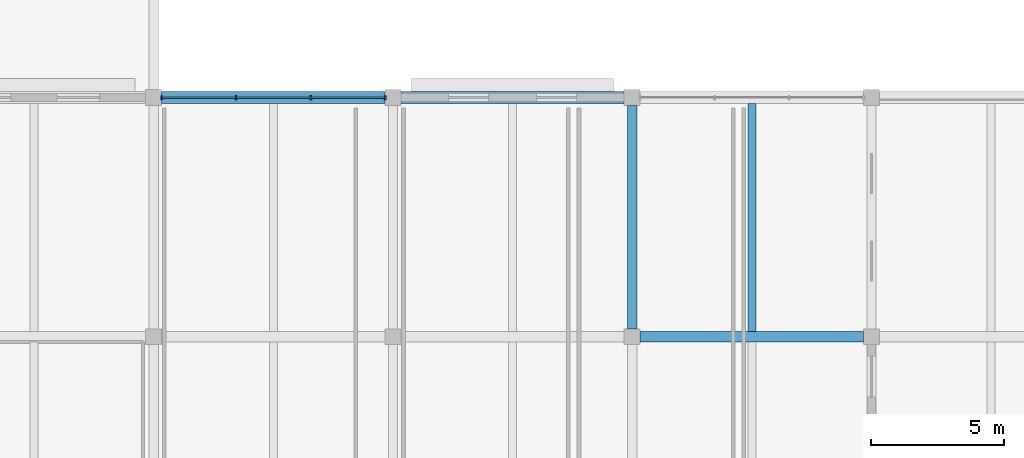
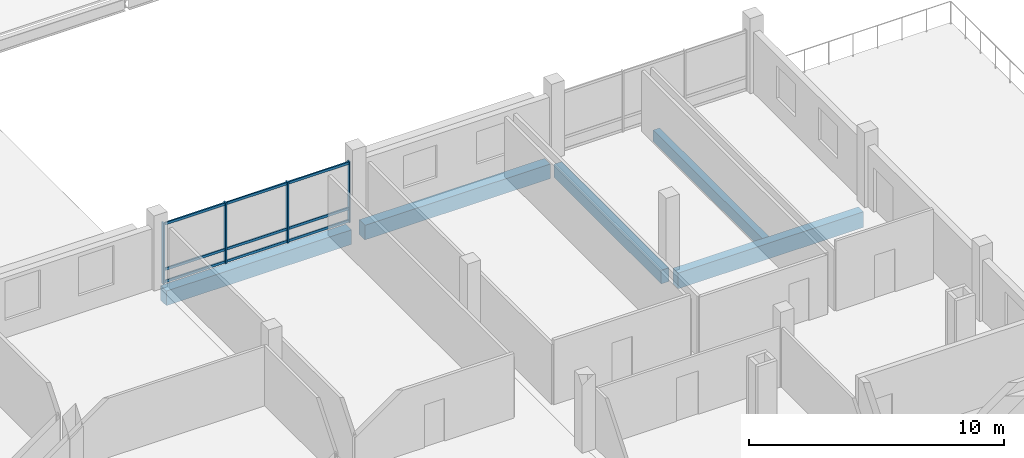
# One storey, part 22 of 163: 13 members, 5 beams, 1 element without a shape of its own.
"""IFC4 building model written with IfcOpenShell, lengths in metres."""

import ifcopenshell
import ifcopenshell.guid

model = None  # the IFC model being written
_history = None  # IfcOwnerHistory: only IFC2X3 demands one
_inside = {}  # id of a spatial element -> (the spatial element, [elements in it])
_under = {}  # id of a project, library or spatial element -> (it, [spatial elements below it])
_declared = {}  # id of a project -> (the project, [libraries it declares])
_typed = {}  # id of a type object -> (the type object, [elements of that type])
_made_of = {}  # id of a material, layer set ... -> (it, [elements and type objects made of it])


def new_model(schema):
    """Start an empty IFC model of exactly this schema.

    Asked for "IFC4X3", IfcOpenShell would pick the latest addendum, in which some entities
    have other attributes; the version numbers below select the first issue.
    IFC2X3 requires an IfcOwnerHistory on every rooted entity: one is made here for all.
    """
    global model, _history
    if schema == "IFC4X3":
        model = ifcopenshell.file(schema_version=(4, 3, 0, 0))
    else:
        model = ifcopenshell.file(schema=schema)
    _inside.clear()
    _under.clear()
    _declared.clear()
    _typed.clear()
    _made_of.clear()
    _history = None
    if model.schema == "IFC2X3":
        org = make("IfcOrganization", Name="unknown")
        user = make(
            "IfcPersonAndOrganization",
            ThePerson=make("IfcPerson", FamilyName="unknown"),
            TheOrganization=org,
        )
        app = make(
            "IfcApplication",
            ApplicationDeveloper=org,
            Version="unknown",
            ApplicationFullName="unknown",
            ApplicationIdentifier="unknown",
        )
        _history = make(
            "IfcOwnerHistory",
            OwningUser=user,
            OwningApplication=app,
            ChangeAction="ADDED",
            CreationDate=0,
        )
    return model


def make(cls, **values):
    """One entity of the class cls with the attributes given. An attribute that is None is left unset."""
    return model.create_entity(
        cls, **{name: value for name, value in values.items() if value is not None}
    )


def rooted(cls, **values):
    """An entity with a GlobalId (a new one), such as an element, a storey or a relation."""
    return make(cls, GlobalId=ifcopenshell.guid.new(), OwnerHistory=_history, **values)


def si_unit(unit_type, name, prefix=None):
    """IfcSIUnit, for example si_unit("LENGTHUNIT", "METRE", prefix="MILLI")."""
    return make("IfcSIUnit", UnitType=unit_type, Prefix=prefix, Name=name)


def assignment(units):
    """IfcUnitAssignment: the units of a project."""
    return None if units is None else make("IfcUnitAssignment", Units=units)


def point(xyz):
    """IfcCartesianPoint."""
    return None if xyz is None else make("IfcCartesianPoint", Coordinates=xyz)


def direction(xyz):
    """IfcDirection."""
    return None if xyz is None else make("IfcDirection", DirectionRatios=xyz)


def frame(location, z_axis=None, x_axis=None):
    """IfcAxis2Placement3D, a coordinate frame: its origin and axes. An axis left out is left unset."""
    return make(
        "IfcAxis2Placement3D",
        Location=point(location),
        Axis=direction(z_axis),
        RefDirection=direction(x_axis),
    )


def frame_2d(location, x_axis=None):
    """IfcAxis2Placement2D, a coordinate frame in the plane: its origin and x axis."""
    return make(
        "IfcAxis2Placement2D", Location=point(location), RefDirection=direction(x_axis)
    )


def origin():
    """The frame at (0, 0, 0) with its axes left unset."""
    return frame((0.0, 0.0, 0.0))


def origin_2d():
    """The frame at (0, 0) in the plane with its x axis left unset."""
    return frame_2d((0.0, 0.0))


def place(relative_to, where):
    """IfcLocalPlacement: puts the frame where relative to a parent placement (None: the world)."""
    return make(
        "IfcLocalPlacement", PlacementRelTo=relative_to, RelativePlacement=where
    )


def context(
    kind, dimensions, precision=None, world=None, true_north=None, identifier=None
):
    """IfcGeometricRepresentationContext, for example the 3D "Model" context."""
    return make(
        "IfcGeometricRepresentationContext",
        ContextIdentifier=identifier,
        ContextType=kind,
        CoordinateSpaceDimension=dimensions,
        Precision=precision,
        WorldCoordinateSystem=world,
        TrueNorth=true_north,
    )


def subcontext(parent, identifier, kind, view, scale=None):
    """IfcGeometricRepresentationSubContext, for example "Body" below "Model"."""
    return make(
        "IfcGeometricRepresentationSubContext",
        ContextIdentifier=identifier,
        ContextType=kind,
        ParentContext=parent,
        TargetScale=scale,
        TargetView=view,
    )


def project(units=None, contexts=None):
    """IfcProject with its units and contexts."""
    return rooted(
        "IfcProject",
        Name="project",
        RepresentationContexts=contexts,
        UnitsInContext=assignment(units),
    )


def spatial(cls, under=None, at=None, **own):
    """A site, building, storey or space (cls), placed at a placement, below another one or the project."""
    s = rooted(cls, ObjectPlacement=at, **own)
    if under is not None:
        _under.setdefault(under.id(), (under, []))[1].append(s)
    return s


def profile(cls, at=None, kind="AREA", **sizes):
    """A parametric profile (cls). Its sizes go by their IFC names, for example OverallWidth=200.0."""
    return make(cls, ProfileType=kind, Position=at, **sizes)


def rectangle(**sizes):
    """IfcRectangleProfileDef."""
    return profile("IfcRectangleProfileDef", **sizes)


def extrude(swept, where, along, depth):
    """IfcExtrudedAreaSolid: the profile swept, set in the frame where, extruded along a direction by depth."""
    return make(
        "IfcExtrudedAreaSolid",
        SweptArea=swept,
        Position=where,
        ExtrudedDirection=direction(along),
        Depth=depth,
    )


def shape(context_of_items, identifier, shape_type, items):
    """IfcShapeRepresentation: the items that make up one representation, for example the "Body"."""
    return make(
        "IfcShapeRepresentation",
        ContextOfItems=context_of_items,
        RepresentationIdentifier=identifier,
        RepresentationType=shape_type,
        Items=items,
    )


def material(Name=None, Category=None):
    """IfcMaterial."""
    return make("IfcMaterial", Name=Name, Category=Category)


def material_profile(
    of_material, cross_section, Name=None, Category=None, Priority=None
):
    """IfcMaterialProfile: a cross section and its material."""
    return make(
        "IfcMaterialProfile",
        Name=Name,
        Material=of_material,
        Profile=cross_section,
        Priority=Priority,
        Category=Category,
    )


def profile_set(profiles, Name=None, composite=None):
    """IfcMaterialProfileSet."""
    return make(
        "IfcMaterialProfileSet",
        Name=Name,
        MaterialProfiles=profiles,
        CompositeProfile=composite,
    )


def made_of(thing, what):
    """Note that an element or type object is made of a material, layer set ...; save() writes the relation."""
    if what is not None:
        _made_of.setdefault(what.id(), (what, []))[1].append(thing)
    return thing


def type_object(cls, material=None, **own):
    """A type object (cls), such as IfcWallType, which elements share."""
    return made_of(rooted(cls, **own), material)


def element(
    cls,
    number,
    at=None,
    inside=None,
    cuts=None,
    type_object=None,
    material=None,
    context=None,
    identifier="Body",
    shape_type=None,
    held_by="IfcProductDefinitionShape",
    body=None,
    shapes=None,
    **own,
):
    """One element of the class cls, such as IfcWall. Its Tag is "e" and its number.

    at: its placement. inside: the storey or other place that contains it. cuts: it is an
    opening in that element (IfcRelVoidsElement). A single representation is given by context,
    identifier, shape_type and body (its items); several are given by shapes. held_by: the class
    of the entity that holds the representations. save() writes the other relations.
    """
    e = rooted(cls, Tag="e%d" % number, ObjectPlacement=at, **own)
    if body is not None:
        shapes = [shape(context, identifier, shape_type, body)]
    if shapes is not None:
        e.Representation = make(held_by, Representations=shapes)
    if inside is not None:
        _inside.setdefault(inside.id(), (inside, []))[1].append(e)
    if cuts is not None:
        rooted(
            "IfcRelVoidsElement", RelatingBuildingElement=cuts, RelatedOpeningElement=e
        )
    if type_object is not None:
        _typed.setdefault(type_object.id(), (type_object, []))[1].append(e)
    return made_of(e, material)


def aggregate(whole, parts):
    """IfcRelAggregates: a whole, such as a stair, and the parts it consists of."""
    return rooted("IfcRelAggregates", RelatingObject=whole, RelatedObjects=parts)


def save(model, path):
    """Write the relations noted so far, then the file.

    IfcRelAggregates (storeys below a building ...), IfcRelContainedInSpatialStructure (elements
    in a storey), IfcRelDefinesByType, IfcRelAssociatesMaterial and IfcRelDeclares: one each for
    every whole, place, type object, material and project.
    """
    for whole, parts in _under.values():
        aggregate(whole, parts)
    for where, things in _inside.values():
        rooted(
            "IfcRelContainedInSpatialStructure",
            RelatedElements=things,
            RelatingStructure=where,
        )
    for kind, things in _typed.values():
        rooted("IfcRelDefinesByType", RelatedObjects=things, RelatingType=kind)
    for what, things in _made_of.values():
        rooted("IfcRelAssociatesMaterial", RelatedObjects=things, RelatingMaterial=what)
    for by, libraries in _declared.values():
        rooted("IfcRelDeclares", RelatingContext=by, RelatedDefinitions=libraries)
    model.write(path)


model = new_model("IFC4")

# Units and contexts
model_context = context("Model", 3, precision=1e-05, world=origin(), true_north=direction((0.0, 1.0)))
body_context = subcontext(model_context, "Body", "Model", "MODEL_VIEW")
ifc_project = project(units=[si_unit("LENGTHUNIT", "METRE"), si_unit("AREAUNIT", "SQUARE_METRE"), si_unit("VOLUMEUNIT", "CUBIC_METRE"), si_unit("PLANEANGLEUNIT", "RADIAN"), si_unit("MASSUNIT", "GRAM", prefix="KILO")], contexts=[model_context])

# Site, building, storey
site_placement = place(None, origin())
site = spatial("IfcSite", under=ifc_project, at=site_placement, CompositionType="ELEMENT")
building_placement = place(site_placement, origin())
building = spatial("IfcBuilding", under=site, at=building_placement, Name="Tharagai Park Tramway Depot", CompositionType="ELEMENT")
storey_placement = place(building_placement, frame((0.0, 0.0, 8.39990234375)))
storey = spatial("IfcBuildingStorey", under=building, at=storey_placement, Name="L02", CompositionType="ELEMENT", Elevation=8.39990234375)

# Beams
ifc_material_1 = material(Name="Concrete M35", Category="concrete")
ifc_material_profile_1 = material_profile(ifc_material_1, rectangle(XDim=0.35009765625, YDim=0.64990234375, at=origin_2d()), Name="RC 350x650")
ifc_profile_set_1 = profile_set([ifc_material_profile_1], Name="Concrete M35")
beam_type_1 = type_object("IfcBeamType", Name="BM-13", PredefinedType="BEAM", material=ifc_profile_set_1)
beam_1_placement = place(storey_placement, frame((81.0, 18.300048828125, -0.574951171875), z_axis=(0.0, 1.0, 0.0), x_axis=(-1.0, 0.0, 0.0)))
element("IfcBeam", 1, at=beam_1_placement, inside=storey, type_object=beam_type_1, Name="L02 Grid Beam BM-13", PredefinedType="BEAM", context=body_context, shape_type="SweptSolid", body=[
    extrude(rectangle(XDim=0.35009765625, YDim=0.64990234375, at=origin_2d()), origin(), (0.0, 0.0, 1.0), 8.39990234375),
])
ifc_material_profile_2 = material_profile(ifc_material_1, rectangle(XDim=0.39990234375, YDim=0.75, at=origin_2d()), Name="RC 400x750")
ifc_profile_set_2 = profile_set([ifc_material_profile_2], Name="Concrete M35")
beam_type_2 = type_object("IfcBeamType", Name="BM-19", PredefinedType="BEAM", material=ifc_profile_set_2)
beam_2_placement = place(storey_placement, frame((81.300048828125, 18.0, -0.625), z_axis=(1.0, 0.0, 0.0), x_axis=(0.0, 1.0, 0.0)))
element("IfcBeam", 2, at=beam_2_placement, inside=storey, type_object=beam_type_2, Name="L02 Grid Beam BM-19", PredefinedType="BEAM", context=body_context, shape_type="SweptSolid", body=[
    extrude(rectangle(XDim=0.39990234375, YDim=0.75, at=origin_2d()), origin(), (0.0, 0.0, 1.0), 8.39990234375),
])

# Curtain wall, members
ifc_material_2 = material(Name="Anodised aluminium", Category="aluminium")
curtain_wall_type = type_object("IfcCurtainWallType", Name="CW-02", PredefinedType="NOTDEFINED", material=ifc_material_2)
curtain_wall_placement = place(storey_placement, origin())
curtain_wall = element("IfcCurtainWall", 3, at=curtain_wall_placement, inside=storey, type_object=curtain_wall_type, Name="L02 V4 Gothic Mullioned Curtain Wall CW-02", PredefinedType="NOTDEFINED")
ifc_material_profile_3 = material_profile(ifc_material_2, rectangle(XDim=0.06494140625, YDim=0.1201171875, at=origin_2d()), Name="ALU 65x120")
ifc_profile_set_3 = profile_set([ifc_material_profile_3], Name="Anodised aluminium")
member_type_1 = type_object("IfcMemberType", Name="CM-01", PredefinedType="USERDEFINED", material=ifc_profile_set_3)
member_1_placement = place(storey_placement, frame((63.304931640625, 27.0, 0.06005859375), z_axis=(1.0, 0.0, 0.0), x_axis=(0.0, 1.0, 0.0)))
member_1 = element("IfcMember", 4, at=member_1_placement, type_object=member_type_1, Name="L02 V4 Gothic Mullioned Curtain Wall Transom 1.1", ObjectType="TRANSOM", PredefinedType="USERDEFINED", context=body_context, shape_type="SweptSolid", body=[
    extrude(rectangle(XDim=0.06494140625, YDim=0.1201171875, at=origin_2d()), origin(), (0.0, 0.0, 1.0), 2.77685546875),
])
member_2_placement = place(storey_placement, frame((63.304931640625, 27.0, 0.650146484375), z_axis=(1.0, 0.0, 0.0), x_axis=(0.0, 1.0, 0.0)))
member_2 = element("IfcMember", 5, at=member_2_placement, type_object=member_type_1, Name="L02 V4 Gothic Mullioned Curtain Wall Transom 1.2", ObjectType="TRANSOM", PredefinedType="USERDEFINED", context=body_context, shape_type="SweptSolid", body=[
    extrude(rectangle(XDim=0.06494140625, YDim=0.1201171875, at=origin_2d()), origin(), (0.0, 0.0, 1.0), 2.77685546875),
])
member_3_placement = place(storey_placement, frame((63.304931640625, 27.0, 2.830078125), z_axis=(1.0, 0.0, 0.0), x_axis=(0.0, 1.0, 0.0)))
member_3 = element("IfcMember", 6, at=member_3_placement, type_object=member_type_1, Name="L02 V4 Gothic Mullioned Curtain Wall Transom 1.3", ObjectType="TRANSOM", PredefinedType="USERDEFINED", context=body_context, shape_type="SweptSolid", body=[
    extrude(rectangle(XDim=0.06494140625, YDim=0.1201171875, at=origin_2d()), origin(), (0.0, 0.0, 1.0), 2.77685546875),
])
member_4_placement = place(storey_placement, frame((66.111572265625, 27.0, 0.06005859375), z_axis=(1.0, 0.0, 0.0), x_axis=(0.0, 1.0, 0.0)))
member_4 = element("IfcMember", 7, at=member_4_placement, type_object=member_type_1, Name="L02 V4 Gothic Mullioned Curtain Wall Transom 2.1", ObjectType="TRANSOM", PredefinedType="USERDEFINED", context=body_context, shape_type="SweptSolid", body=[
    extrude(rectangle(XDim=0.06494140625, YDim=0.1201171875, at=origin_2d()), origin(), (0.0, 0.0, 1.0), 2.77685546875),
])
member_5_placement = place(storey_placement, frame((66.111572265625, 27.0, 0.650146484375), z_axis=(1.0, 0.0, 0.0), x_axis=(0.0, 1.0, 0.0)))
member_5 = element("IfcMember", 8, at=member_5_placement, type_object=member_type_1, Name="L02 V4 Gothic Mullioned Curtain Wall Transom 2.2", ObjectType="TRANSOM", PredefinedType="USERDEFINED", context=body_context, shape_type="SweptSolid", body=[
    extrude(rectangle(XDim=0.06494140625, YDim=0.1201171875, at=origin_2d()), origin(), (0.0, 0.0, 1.0), 2.77685546875),
])
member_6_placement = place(storey_placement, frame((66.111572265625, 27.0, 2.830078125), z_axis=(1.0, 0.0, 0.0), x_axis=(0.0, 1.0, 0.0)))
member_6 = element("IfcMember", 9, at=member_6_placement, type_object=member_type_1, Name="L02 V4 Gothic Mullioned Curtain Wall Transom 2.3", ObjectType="TRANSOM", PredefinedType="USERDEFINED", context=body_context, shape_type="SweptSolid", body=[
    extrude(rectangle(XDim=0.06494140625, YDim=0.1201171875, at=origin_2d()), origin(), (0.0, 0.0, 1.0), 2.77685546875),
])
member_7_placement = place(storey_placement, frame((68.918212890625, 27.0, 0.06005859375), z_axis=(1.0, 0.0, 0.0), x_axis=(0.0, 1.0, 0.0)))
member_7 = element("IfcMember", 10, at=member_7_placement, type_object=member_type_1, Name="L02 V4 Gothic Mullioned Curtain Wall Transom 3.1", ObjectType="TRANSOM", PredefinedType="USERDEFINED", context=body_context, shape_type="SweptSolid", body=[
    extrude(rectangle(XDim=0.06494140625, YDim=0.1201171875, at=origin_2d()), origin(), (0.0, 0.0, 1.0), 2.77685546875),
])
member_8_placement = place(storey_placement, frame((68.918212890625, 27.0, 0.650146484375), z_axis=(1.0, 0.0, 0.0), x_axis=(0.0, 1.0, 0.0)))
member_8 = element("IfcMember", 11, at=member_8_placement, type_object=member_type_1, Name="L02 V4 Gothic Mullioned Curtain Wall Transom 3.2", ObjectType="TRANSOM", PredefinedType="USERDEFINED", context=body_context, shape_type="SweptSolid", body=[
    extrude(rectangle(XDim=0.06494140625, YDim=0.1201171875, at=origin_2d()), origin(), (0.0, 0.0, 1.0), 2.77685546875),
])
member_9_placement = place(storey_placement, frame((68.918212890625, 27.0, 2.830078125), z_axis=(1.0, 0.0, 0.0), x_axis=(0.0, 1.0, 0.0)))
member_9 = element("IfcMember", 12, at=member_9_placement, type_object=member_type_1, Name="L02 V4 Gothic Mullioned Curtain Wall Transom 3.3", ObjectType="TRANSOM", PredefinedType="USERDEFINED", context=body_context, shape_type="SweptSolid", body=[
    extrude(rectangle(XDim=0.06494140625, YDim=0.1201171875, at=origin_2d()), origin(), (0.0, 0.0, 1.0), 2.77685546875),
])
ifc_material_profile_4 = material_profile(ifc_material_2, rectangle(XDim=0.06494140625, YDim=0.14990234375, at=origin_2d()), Name="ALU 65x150")
ifc_profile_set_4 = profile_set([ifc_material_profile_4], Name="Anodised aluminium")
member_type_2 = type_object("IfcMemberType", Name="CM-03", PredefinedType="MULLION", material=ifc_profile_set_4)
member_10_placement = place(storey_placement, frame((63.2900390625, 27.0, -0.0048828125), z_axis=(0.0, 0.0, 1.0), x_axis=(1.0, 0.0, 0.0)))
member_10 = element("IfcMember", 13, at=member_10_placement, type_object=member_type_2, Name="L02 V4 Gothic Mullioned Curtain Wall Mullion 1", PredefinedType="MULLION", context=body_context, shape_type="SweptSolid", body=[
    extrude(rectangle(XDim=0.06494140625, YDim=0.14990234375, at=origin_2d()), origin(), (0.0, 0.0, 1.0), 2.919921875),
])
member_11_placement = place(storey_placement, frame((66.0966796875, 27.0, -0.0048828125), z_axis=(0.0, 0.0, 1.0), x_axis=(1.0, 0.0, 0.0)))
member_11 = element("IfcMember", 14, at=member_11_placement, type_object=member_type_2, Name="L02 V4 Gothic Mullioned Curtain Wall Mullion 2", PredefinedType="MULLION", context=body_context, shape_type="SweptSolid", body=[
    extrude(rectangle(XDim=0.06494140625, YDim=0.14990234375, at=origin_2d()), origin(), (0.0, 0.0, 1.0), 2.919921875),
])
member_12_placement = place(storey_placement, frame((68.9033203125, 27.0, -0.0048828125), z_axis=(0.0, 0.0, 1.0), x_axis=(1.0, 0.0, 0.0)))
member_12 = element("IfcMember", 15, at=member_12_placement, type_object=member_type_2, Name="L02 V4 Gothic Mullioned Curtain Wall Mullion 3", PredefinedType="MULLION", context=body_context, shape_type="SweptSolid", body=[
    extrude(rectangle(XDim=0.06494140625, YDim=0.14990234375, at=origin_2d()), origin(), (0.0, 0.0, 1.0), 2.919921875),
])
member_13_placement = place(storey_placement, frame((71.7099609375, 27.0, -0.0048828125), z_axis=(0.0, 0.0, 1.0), x_axis=(1.0, 0.0, 0.0)))
member_13 = element("IfcMember", 16, at=member_13_placement, type_object=member_type_2, Name="L02 V4 Gothic Mullioned Curtain Wall Mullion 4", PredefinedType="MULLION", context=body_context, shape_type="SweptSolid", body=[
    extrude(rectangle(XDim=0.06494140625, YDim=0.14990234375, at=origin_2d()), origin(), (0.0, 0.0, 1.0), 2.919921875),
])
aggregate(curtain_wall, [member_10, member_11, member_12, member_13, member_1, member_2, member_3, member_4, member_5, member_6, member_7, member_8, member_9])

# Beams
ifc_material_profile_5 = material_profile(ifc_material_1, rectangle(XDim=0.300048828125, YDim=0.550048828125, at=origin_2d()), Name="RC 300x550")
ifc_profile_set_5 = profile_set([ifc_material_profile_5], Name="Concrete M35")
beam_type_3 = type_object("IfcBeamType", Name="JT-06", PredefinedType="JOIST", material=ifc_profile_set_5)
beam_3_placement = place(storey_placement, frame((85.5, 18.199951171875, -0.52490234375), z_axis=(0.0, 1.0, 0.0), x_axis=(-1.0, 0.0, 0.0)))
element("IfcBeam", 17, at=beam_3_placement, inside=storey, type_object=beam_type_3, Name="L02 Secondary Joist JT-06", PredefinedType="JOIST", context=body_context, shape_type="SweptSolid", body=[
    extrude(rectangle(XDim=0.300048828125, YDim=0.550048828125, at=origin_2d()), origin(), (0.0, 0.0, 1.0), 8.574951171875),
])
ifc_material_profile_6 = material_profile(ifc_material_1, rectangle(XDim=0.449951171875, YDim=0.699951171875, at=origin_2d()), Name="RC 450x700")
ifc_profile_set_6 = profile_set([ifc_material_profile_6], Name="Concrete M35")
beam_type_4 = type_object("IfcBeamType", Name="SP-01", PredefinedType="SPANDREL", material=ifc_profile_set_6)
for number, where, z_axis, x_axis, name in (
    (18, (63.300048828125, 27.0, -0.599853515625), (1.0, 0.0, 0.0), (0.0, 1.0, 0.0), "L02 Grid Beam SP-01"),
    (19, (72.300048828125, 27.0, -0.599853515625), (1.0, 0.0, 0.0), (0.0, 1.0, 0.0), "L02 Grid Beam SP-01"),
):
    element("IfcBeam", number, at=place(storey_placement, frame(where, z_axis=z_axis, x_axis=x_axis)), inside=storey, type_object=beam_type_4, Name=name, PredefinedType="SPANDREL", context=body_context, shape_type="SweptSolid", body=[
        extrude(rectangle(XDim=0.449951171875, YDim=0.699951171875, at=origin_2d()), origin(), (0.0, 0.0, 1.0), 8.39990234375),
    ])

save(model, "model.ifc")
